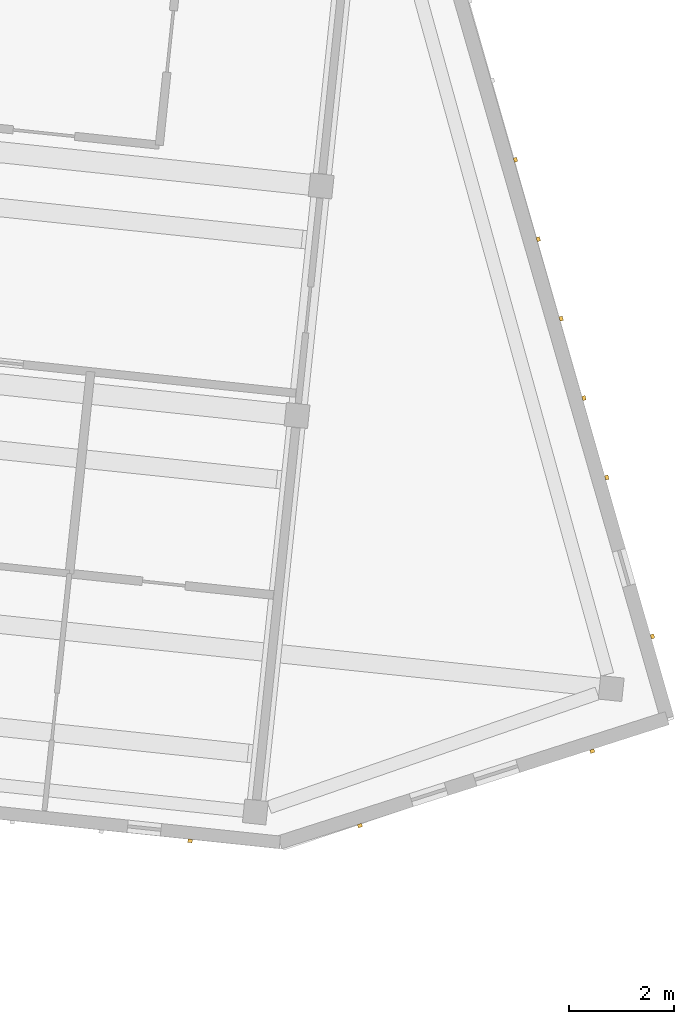
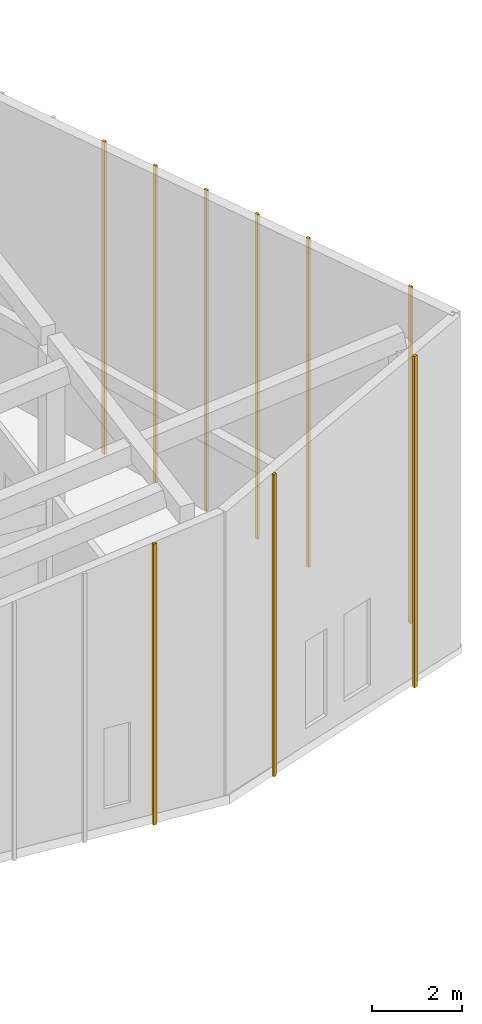
# One storey, part 29 of 31: 9 coverings.
"""IFC4 building model written with IfcOpenShell, lengths in metres."""

from ifc_helpers import new_model, si_unit, direction, frame, origin, origin_2d, place, context, subcontext, project, spatial, rectangle, extrude, material, layer, layer_set, type_object, element, save


model = new_model("IFC4")

# Units and contexts
model_context = context("Model", 3, precision=1e-05, world=origin(), true_north=direction((0.0, 1.0)))
body_context = subcontext(model_context, "Body", "Model", "MODEL_VIEW")
ifc_project = project(units=[si_unit("LENGTHUNIT", "METRE"), si_unit("AREAUNIT", "SQUARE_METRE"), si_unit("VOLUMEUNIT", "CUBIC_METRE"), si_unit("PLANEANGLEUNIT", "RADIAN"), si_unit("MASSUNIT", "GRAM", prefix="KILO")], contexts=[model_context])

# Site, building, storey
site_placement = place(None, origin())
site = spatial("IfcSite", under=ifc_project, at=site_placement, CompositionType="ELEMENT")
building_placement = place(site_placement, origin())
building = spatial("IfcBuilding", under=site, at=building_placement, Name="Kestramere Prow Commons", CompositionType="ELEMENT")
storey_placement = place(building_placement, frame((0.0, 0.0, 37.64990234375)))
storey = spatial("IfcBuildingStorey", under=building, at=storey_placement, Name="L11", CompositionType="ELEMENT", Elevation=37.64990234375)

# Coverings
ifc_material = material(Name="Weathered Zinc-Titanium Standing-Seam Cladding")
ifc_layer = layer(ifc_material, 0.074951171875)
ifc_layer_set = layer_set([ifc_layer], Name="Weathered Zinc-Titanium Standing-Seam Cladding")
covering_type = type_object("IfcCoveringType", Name="COV-CLAD-SEAM", PredefinedType="CLADDING", material=ifc_layer_set)
covering_1_placement = place(storey_placement, frame((156.49267578125, 89.232177734375, -0.249755859375), z_axis=(0.0, 0.0, 1.0), x_axis=(-0.994521895368, 0.104528463268, 0.0)))
element("IfcCovering", 1, at=covering_1_placement, inside=storey, type_object=covering_type, Name="EW-B-L11-S-5 Standing-Seam Rib 1", PredefinedType="CLADDING", context=body_context, shape_type="SweptSolid", body=[
    extrude(rectangle(XDim=0.0849609375, YDim=0.06494140625, at=origin_2d()), origin(), (0.0, 0.0, 1.0), 7.619140625),
])
covering_2_placement = place(storey_placement, frame((162.69580078125, 102.21630859375, -0.25), z_axis=(0.0, 0.0, 1.0), x_axis=(0.27631844013, -0.961066136977, 0.0)))
element("IfcCovering", 2, at=covering_2_placement, inside=storey, type_object=covering_type, Name="EW-B-L11-PRW-N Standing-Seam Rib 5", PredefinedType="CLADDING", context=body_context, shape_type="SweptSolid", body=[
    extrude(rectangle(XDim=0.0849609375, YDim=0.06494140625, at=origin_2d()), origin(), (0.0, 0.0, 1.0), 8.484130859375),
])
covering_3_placement = place(storey_placement, frame((163.131103515625, 100.7021484375, -0.25), z_axis=(0.0, 0.0, 1.0), x_axis=(0.27631844013, -0.961066136977, 0.0)))
element("IfcCovering", 3, at=covering_3_placement, inside=storey, type_object=covering_type, Name="EW-B-L11-PRW-N Standing-Seam Rib 6", PredefinedType="CLADDING", context=body_context, shape_type="SweptSolid", body=[
    extrude(rectangle(XDim=0.0849609375, YDim=0.06494140625, at=origin_2d()), origin(), (0.0, 0.0, 1.0), 8.593994140625),
])
covering_4_placement = place(storey_placement, frame((163.56640625, 99.18798828125, -0.25), z_axis=(0.0, 0.0, 1.0), x_axis=(0.27631844013, -0.961066136977, 0.0)))
element("IfcCovering", 4, at=covering_4_placement, inside=storey, type_object=covering_type, Name="EW-B-L11-PRW-N Standing-Seam Rib 7", PredefinedType="CLADDING", context=body_context, shape_type="SweptSolid", body=[
    extrude(rectangle(XDim=0.0849609375, YDim=0.06494140625, at=origin_2d()), origin(), (0.0, 0.0, 1.0), 8.70361328125),
])
covering_5_placement = place(storey_placement, frame((164.001708984375, 97.673583984375, -0.25), z_axis=(0.0, 0.0, 1.0), x_axis=(0.27631844013, -0.961066136977, 0.0)))
element("IfcCovering", 5, at=covering_5_placement, inside=storey, type_object=covering_type, Name="EW-B-L11-PRW-N Standing-Seam Rib 8", PredefinedType="CLADDING", context=body_context, shape_type="SweptSolid", body=[
    extrude(rectangle(XDim=0.0849609375, YDim=0.06494140625, at=origin_2d()), origin(), (0.0, 0.0, 1.0), 8.813232421875),
])
covering_6_placement = place(storey_placement, frame((164.437255859375, 96.159423828125, -0.25), z_axis=(0.0, 0.0, 1.0), x_axis=(0.27631844013, -0.961066136977, 0.0)))
element("IfcCovering", 6, at=covering_6_placement, inside=storey, type_object=covering_type, Name="EW-B-L11-PRW-N Standing-Seam Rib 9", PredefinedType="CLADDING", context=body_context, shape_type="SweptSolid", body=[
    extrude(rectangle(XDim=0.0849609375, YDim=0.06494140625, at=origin_2d()), origin(), (0.0, 0.0, 1.0), 8.923095703125),
])
covering_7_placement = place(storey_placement, frame((165.307861328125, 93.131103515625, -0.25), z_axis=(0.0, 0.0, 1.0), x_axis=(0.27631844013, -0.961066136977, 0.0)))
element("IfcCovering", 7, at=covering_7_placement, inside=storey, type_object=covering_type, Name="EW-B-L11-PRW-N Standing-Seam Rib 11", PredefinedType="CLADDING", context=body_context, shape_type="SweptSolid", body=[
    extrude(rectangle(XDim=0.0849609375, YDim=0.06494140625, at=origin_2d()), origin(), (0.0, 0.0, 1.0), 9.142333984375),
])
covering_8_placement = place(storey_placement, frame((164.16015625, 90.94384765625, -0.25), z_axis=(0.0, 0.0, 1.0), x_axis=(-0.952283464374, -0.305215011884, 0.0)))
element("IfcCovering", 8, at=covering_8_placement, inside=storey, type_object=covering_type, Name="EW-B-L11-PRW-S Standing-Seam Rib 1", PredefinedType="CLADDING", context=body_context, shape_type="SweptSolid", body=[
    extrude(rectangle(XDim=0.0849609375, YDim=0.06494140625, at=origin_2d()), origin(), (0.0, 0.0, 1.0), 8.98876953125),
])
covering_9_placement = place(storey_placement, frame((159.73046875, 89.524169921875, -0.25), z_axis=(0.0, 0.0, 1.0), x_axis=(-0.952283464374, -0.305215011884, 0.0)))
element("IfcCovering", 9, at=covering_9_placement, inside=storey, type_object=covering_type, Name="EW-B-L11-PRW-S Standing-Seam Rib 4", PredefinedType="CLADDING", context=body_context, shape_type="SweptSolid", body=[
    extrude(rectangle(XDim=0.0849609375, YDim=0.06494140625, at=origin_2d()), origin(), (0.0, 0.0, 1.0), 8.198974609375),
])

save(model, "model.ifc")
